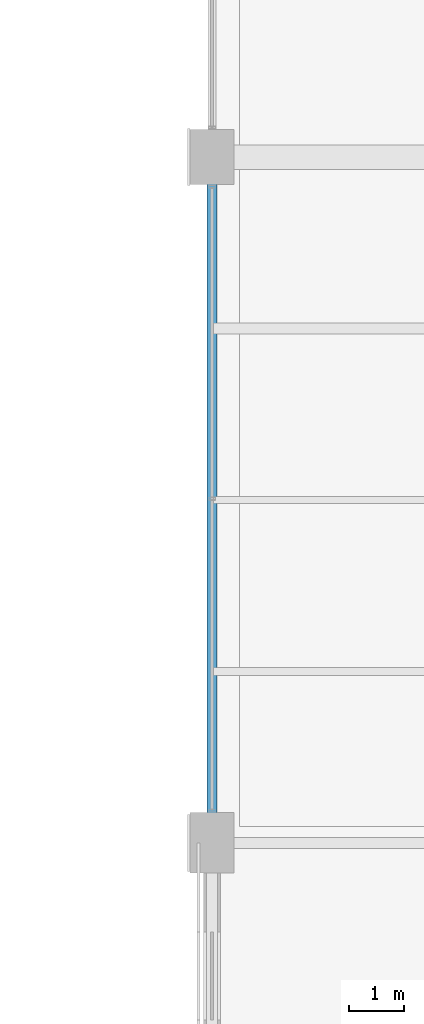
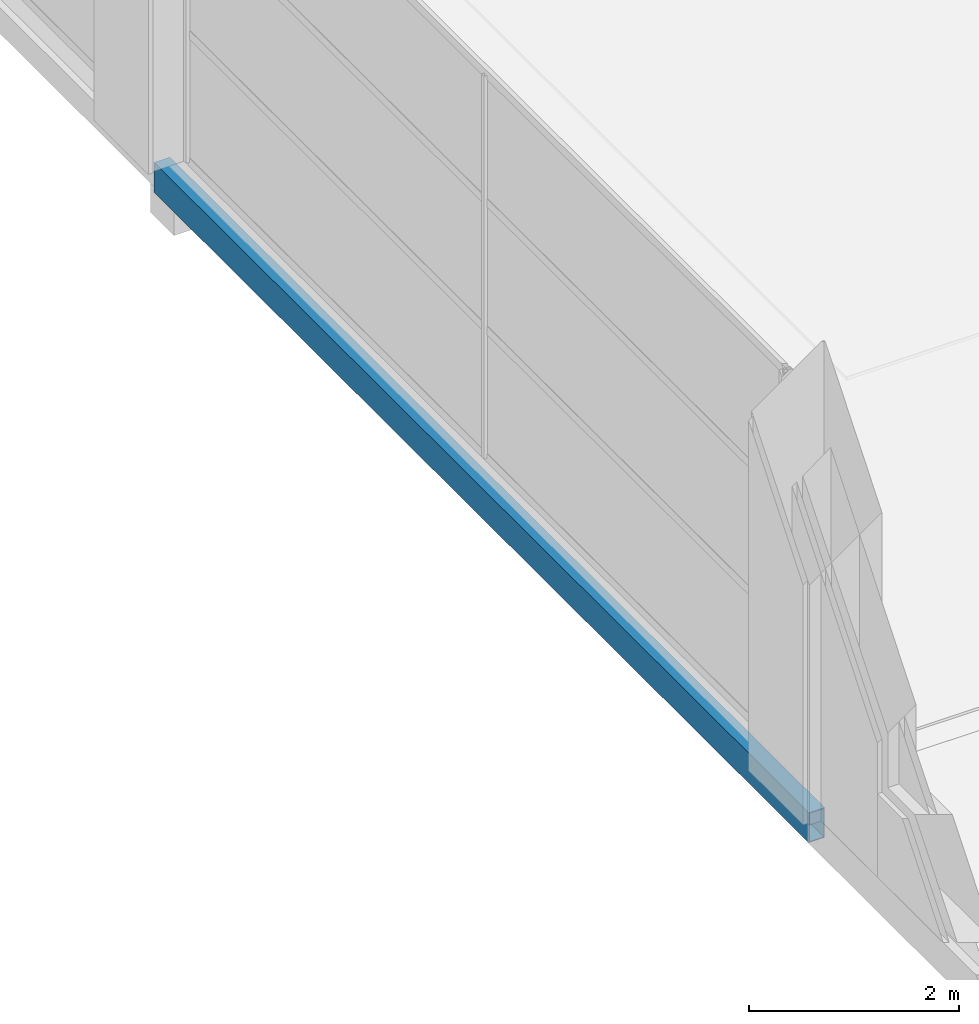
# One storey, part 34 of 112: 1 beam.
"""IFC4 building model written with IfcOpenShell, lengths in metres."""

from ifc_helpers import new_model, si_unit, direction, frame, origin, origin_2d, place, context, subcontext, project, spatial, hollow_rectangle, extrude, material, material_profile, profile_set, type_object, element, save


model = new_model("IFC4")

# Units and contexts
model_context = context("Model", 3, precision=1e-05, world=origin(), true_north=direction((0.0, 1.0)))
body_context = subcontext(model_context, "Body", "Model", "MODEL_VIEW")
ifc_project = project(units=[si_unit("LENGTHUNIT", "METRE"), si_unit("AREAUNIT", "SQUARE_METRE"), si_unit("VOLUMEUNIT", "CUBIC_METRE"), si_unit("PLANEANGLEUNIT", "RADIAN"), si_unit("MASSUNIT", "GRAM", prefix="KILO")], contexts=[model_context])

# Site, building, storey
site_placement = place(None, origin())
site = spatial("IfcSite", under=ifc_project, at=site_placement, CompositionType="ELEMENT")
building_placement = place(site_placement, origin())
building = spatial("IfcBuilding", under=site, at=building_placement, Name="Solvikara Media Centre", CompositionType="ELEMENT")
storey_placement = place(building_placement, frame((0.0, 0.0, 5.39990234375)))
storey = spatial("IfcBuildingStorey", under=building, at=storey_placement, Name="L01", CompositionType="ELEMENT", Elevation=5.39990234375)

# Beam
ifc_material = material(Name="Steel S355JR", Category="steel")
ifc_material_profile = material_profile(ifc_material, hollow_rectangle(XDim=0.175048828125, YDim=0.35009765625, WallThickness=0.010009765625, at=origin_2d()), Name="RHS 350x175x10")
ifc_profile_set = profile_set([ifc_material_profile], Name="Steel S355JR")
beam_type = type_object("IfcBeamType", Name="BM-34", PredefinedType="SPANDREL", material=ifc_profile_set)
beam_placement = place(storey_placement, frame((127.5, 46.5, -0.476806640625), z_axis=(0.0, 1.0, 0.0), x_axis=(-1.0, 0.0, 0.0)))
element("IfcBeam", 1, at=beam_placement, inside=storey, type_object=beam_type, Name="B-L01-Y0604", PredefinedType="SPANDREL", context=body_context, shape_type="SweptSolid", body=[
    extrude(hollow_rectangle(XDim=0.175048828125, YDim=0.35009765625, WallThickness=0.010009765625, at=origin_2d()), origin(), (0.0, 0.0, 1.0), 12.5),
])

save(model, "model.ifc")
